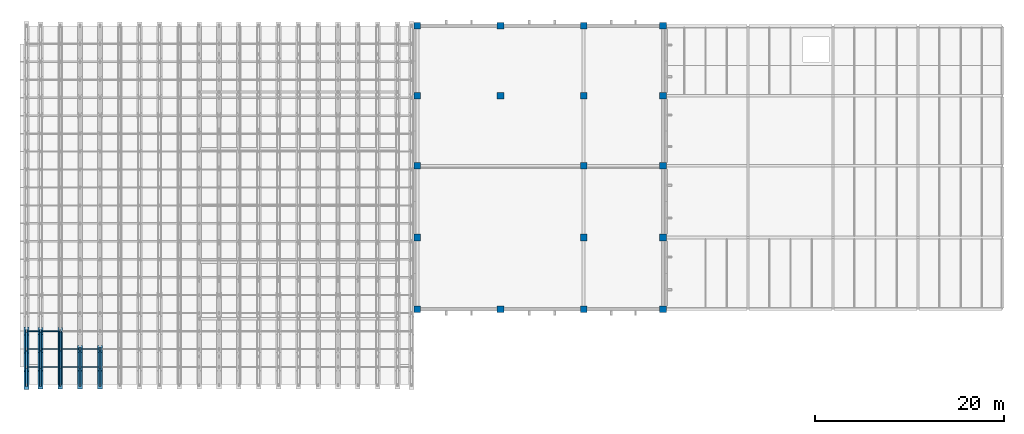
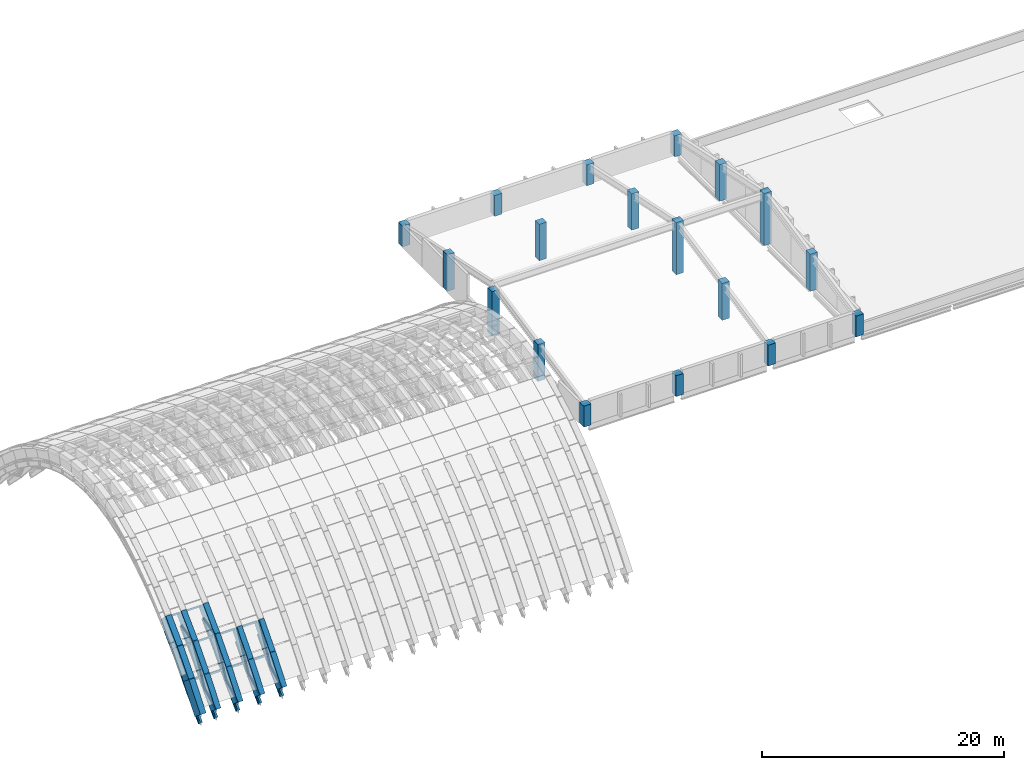
# One storey, part 1 of 67: 26 beams, 20 members, 18 columns.
"""IFC4 building model written with IfcOpenShell, lengths in metres."""

from ifc_helpers import new_model, si_unit, direction, frame, origin, origin_2d, place, context, subcontext, project, spatial, rectangle, hollow_rectangle, hollow_circle, i_section, extrude, material, material_profile, profile_set, type_object, element, save


model = new_model("IFC4")

# Units and contexts
model_context = context("Model", 3, precision=1e-05, world=origin(), true_north=direction((0.0, 1.0)))
body_context = subcontext(model_context, "Body", "Model", "MODEL_VIEW")
ifc_project = project(units=[si_unit("LENGTHUNIT", "METRE"), si_unit("AREAUNIT", "SQUARE_METRE"), si_unit("VOLUMEUNIT", "CUBIC_METRE"), si_unit("PLANEANGLEUNIT", "RADIAN"), si_unit("MASSUNIT", "GRAM", prefix="KILO")], contexts=[model_context])

# Site, building, storey
site_placement = place(None, origin())
site = spatial("IfcSite", under=ifc_project, at=site_placement, CompositionType="ELEMENT")
building_placement = place(site_placement, origin())
building = spatial("IfcBuilding", under=site, at=building_placement, Name="Shengluoqiao Park Theatre", CompositionType="ELEMENT")
storey_placement = place(building_placement, frame((0.0, 0.0, 28.60009765625)))
storey = spatial("IfcBuildingStorey", under=building, at=storey_placement, Name="Roof", CompositionType="ELEMENT", Elevation=28.60009765625)

# Columns
ifc_material_1 = material(Name="Concrete C50", Category="concrete")
ifc_material_profile_1 = material_profile(ifc_material_1, rectangle(XDim=0.699951171875, YDim=0.699951171875, at=origin_2d()), Name="RC 700x700")
ifc_profile_set_1 = profile_set([ifc_material_profile_1], Name="Concrete C50")
column_type = type_object("IfcColumnType", Name="STR-COL-C-RC700", PredefinedType="COLUMN", material=ifc_profile_set_1)
column_1_placement = place(storey_placement, frame((86.39990234375, 84.0, 0.0), z_axis=(0.0, 0.0, 1.0), x_axis=(1.0, 0.0, 0.0)))
element("IfcColumn", 1, at=column_1_placement, inside=storey, type_object=column_type, Name="Fly Tower Roof Column 0891", PredefinedType="COLUMN", context=body_context, shape_type="SweptSolid", body=[
    extrude(rectangle(XDim=0.699951171875, YDim=0.699951171875, at=origin_2d()), origin(), (0.0, 0.0, 1.0), 2.11181640625),
])
column_2_placement = place(storey_placement, frame((86.39990234375, 91.60009765625, 0.0), z_axis=(0.0, 0.0, 1.0), x_axis=(1.0, 0.0, 0.0)))
element("IfcColumn", 2, at=column_2_placement, inside=storey, type_object=column_type, Name="Fly Tower Roof Column 0892", PredefinedType="COLUMN", context=body_context, shape_type="SweptSolid", body=[
    extrude(rectangle(XDim=0.699951171875, YDim=0.699951171875, at=origin_2d()), origin(), (0.0, 0.0, 1.0), 3.727294921875),
])
column_3_placement = place(storey_placement, frame((86.39990234375, 106.60009765625, 0.0), z_axis=(0.0, 0.0, 1.0), x_axis=(1.0, 0.0, 0.0)))
element("IfcColumn", 3, at=column_3_placement, inside=storey, type_object=column_type, Name="Fly Tower Roof Column 0893", PredefinedType="COLUMN", context=body_context, shape_type="SweptSolid", body=[
    extrude(rectangle(XDim=0.699951171875, YDim=0.699951171875, at=origin_2d()), origin(), (0.0, 0.0, 1.0), 3.684814453125),
])
for number, where, z_axis, x_axis, name in (
    (4, (86.39990234375, 114.0, 0.0), (0.0, 0.0, 1.0), (1.0, 0.0, 0.0), "Fly Tower Roof Column 0894"),
    (5, (95.199951171875, 84.0, 0.0), (0.0, 0.0, 1.0), (1.0, 0.0, 0.0), "Fly Tower Roof Column 0895"),
):
    element("IfcColumn", number, at=place(storey_placement, frame(where, z_axis=z_axis, x_axis=x_axis)), inside=storey, type_object=column_type, Name=name, PredefinedType="COLUMN", context=body_context, shape_type="SweptSolid", body=[
        extrude(rectangle(XDim=0.699951171875, YDim=0.699951171875, at=origin_2d()), origin(), (0.0, 0.0, 1.0), 2.11181640625),
    ])
column_4_placement = place(storey_placement, frame((95.199951171875, 106.60009765625, 0.0), z_axis=(0.0, 0.0, 1.0), x_axis=(1.0, 0.0, 0.0)))
element("IfcColumn", 6, at=column_4_placement, inside=storey, type_object=column_type, Name="Fly Tower Roof Column 0896", PredefinedType="COLUMN", context=body_context, shape_type="SweptSolid", body=[
    extrude(rectangle(XDim=0.699951171875, YDim=0.699951171875, at=origin_2d()), origin(), (0.0, 0.0, 1.0), 3.684814453125),
])
for number, where, z_axis, x_axis, name in (
    (7, (95.199951171875, 114.0, 0.0), (0.0, 0.0, 1.0), (1.0, 0.0, 0.0), "Fly Tower Roof Column 0897"),
    (8, (104.0, 84.0, 0.0), (0.0, 0.0, 1.0), (1.0, 0.0, 0.0), "Fly Tower Roof Column 0898"),
):
    element("IfcColumn", number, at=place(storey_placement, frame(where, z_axis=z_axis, x_axis=x_axis)), inside=storey, type_object=column_type, Name=name, PredefinedType="COLUMN", context=body_context, shape_type="SweptSolid", body=[
        extrude(rectangle(XDim=0.699951171875, YDim=0.699951171875, at=origin_2d()), origin(), (0.0, 0.0, 1.0), 2.11181640625),
    ])
column_5_placement = place(storey_placement, frame((104.0, 91.60009765625, 0.0), z_axis=(0.0, 0.0, 1.0), x_axis=(1.0, 0.0, 0.0)))
element("IfcColumn", 9, at=column_5_placement, inside=storey, type_object=column_type, Name="Fly Tower Roof Column 0899", PredefinedType="COLUMN", context=body_context, shape_type="SweptSolid", body=[
    extrude(rectangle(XDim=0.699951171875, YDim=0.699951171875, at=origin_2d()), origin(), (0.0, 0.0, 1.0), 3.727294921875),
])
column_6_placement = place(storey_placement, frame((104.0, 99.199951171875, 0.0), z_axis=(0.0, 0.0, 1.0), x_axis=(1.0, 0.0, 0.0)))
element("IfcColumn", 10, at=column_6_placement, inside=storey, type_object=column_type, Name="Fly Tower Roof Column 0900", PredefinedType="COLUMN", context=body_context, shape_type="SweptSolid", body=[
    extrude(rectangle(XDim=0.699951171875, YDim=0.699951171875, at=origin_2d()), origin(), (0.0, 0.0, 1.0), 5.2578125),
])
column_7_placement = place(storey_placement, frame((104.0, 106.60009765625, 0.0), z_axis=(0.0, 0.0, 1.0), x_axis=(1.0, 0.0, 0.0)))
element("IfcColumn", 11, at=column_7_placement, inside=storey, type_object=column_type, Name="Fly Tower Roof Column 0901", PredefinedType="COLUMN", context=body_context, shape_type="SweptSolid", body=[
    extrude(rectangle(XDim=0.699951171875, YDim=0.699951171875, at=origin_2d()), origin(), (0.0, 0.0, 1.0), 3.684814453125),
])
for number, where, z_axis, x_axis, name in (
    (12, (104.0, 114.0, 0.0), (0.0, 0.0, 1.0), (1.0, 0.0, 0.0), "Fly Tower Roof Column 0902"),
    (13, (112.39990234375, 84.0, 0.0), (0.0, 0.0, 1.0), (1.0, 0.0, 0.0), "Fly Tower Roof Column 0903"),
):
    element("IfcColumn", number, at=place(storey_placement, frame(where, z_axis=z_axis, x_axis=x_axis)), inside=storey, type_object=column_type, Name=name, PredefinedType="COLUMN", context=body_context, shape_type="SweptSolid", body=[
        extrude(rectangle(XDim=0.699951171875, YDim=0.699951171875, at=origin_2d()), origin(), (0.0, 0.0, 1.0), 2.11181640625),
    ])
column_8_placement = place(storey_placement, frame((112.39990234375, 91.60009765625, 0.0), z_axis=(0.0, 0.0, 1.0), x_axis=(1.0, 0.0, 0.0)))
element("IfcColumn", 14, at=column_8_placement, inside=storey, type_object=column_type, Name="Fly Tower Roof Column 0904", PredefinedType="COLUMN", context=body_context, shape_type="SweptSolid", body=[
    extrude(rectangle(XDim=0.699951171875, YDim=0.699951171875, at=origin_2d()), origin(), (0.0, 0.0, 1.0), 3.727294921875),
])
column_9_placement = place(storey_placement, frame((112.39990234375, 99.199951171875, 0.0), z_axis=(0.0, 0.0, 1.0), x_axis=(1.0, 0.0, 0.0)))
element("IfcColumn", 15, at=column_9_placement, inside=storey, type_object=column_type, Name="Fly Tower Roof Column 0905", PredefinedType="COLUMN", context=body_context, shape_type="SweptSolid", body=[
    extrude(rectangle(XDim=0.699951171875, YDim=0.699951171875, at=origin_2d()), origin(), (0.0, 0.0, 1.0), 5.2578125),
])
column_10_placement = place(storey_placement, frame((112.39990234375, 106.60009765625, 0.0), z_axis=(0.0, 0.0, 1.0), x_axis=(1.0, 0.0, 0.0)))
element("IfcColumn", 16, at=column_10_placement, inside=storey, type_object=column_type, Name="Fly Tower Roof Column 0906", PredefinedType="COLUMN", context=body_context, shape_type="SweptSolid", body=[
    extrude(rectangle(XDim=0.699951171875, YDim=0.699951171875, at=origin_2d()), origin(), (0.0, 0.0, 1.0), 3.684814453125),
])
column_11_placement = place(storey_placement, frame((112.39990234375, 114.0, 0.0), z_axis=(0.0, 0.0, 1.0), x_axis=(1.0, 0.0, 0.0)))
element("IfcColumn", 17, at=column_11_placement, inside=storey, type_object=column_type, Name="Fly Tower Roof Column 0907", PredefinedType="COLUMN", context=body_context, shape_type="SweptSolid", body=[
    extrude(rectangle(XDim=0.699951171875, YDim=0.699951171875, at=origin_2d()), origin(), (0.0, 0.0, 1.0), 2.11181640625),
])
column_12_placement = place(storey_placement, frame((86.39990234375, 99.199951171875, 0.0), z_axis=(0.0, 0.0, 1.0), x_axis=(1.0, 0.0, 0.0)))
element("IfcColumn", 18, at=column_12_placement, inside=storey, type_object=column_type, Name="Fly Tower West Ridge Post", PredefinedType="COLUMN", context=body_context, shape_type="SweptSolid", body=[
    extrude(rectangle(XDim=0.699951171875, YDim=0.699951171875, at=origin_2d()), origin(), (0.0, 0.0, 1.0), 4.449951171875),
])

# Beams
ifc_material_profile_2 = material_profile(ifc_material_1, rectangle(XDim=0.5, YDim=1.050048828125, at=origin_2d()), Name="RC ARCH 500x1050")
ifc_profile_set_2 = profile_set([ifc_material_profile_2], Name="Concrete C50")
beam_type_1 = type_object("IfcBeamType", Name="STR-BM-AR-5010", PredefinedType="BEAM", material=ifc_profile_set_2)
beam_1_placement = place(storey_placement, frame((46.5, 76.0, -10.02001953125), z_axis=(0.0, 0.621631409309, 0.783309894588), x_axis=(-1.0, 0.0, 0.0)))
element("IfcBeam", 19, at=beam_1_placement, inside=storey, type_object=beam_type_1, Name="Barrel-Shell Arch Rib R02-S01", PredefinedType="BEAM", context=body_context, shape_type="SweptSolid", body=[
    extrude(rectangle(XDim=0.5, YDim=1.050048828125, at=origin_2d()), origin(), (0.0, 0.0, 1.0), 3.056396484375),
])
beam_2_placement = place(storey_placement, frame((46.5, 77.89990234375, -7.6259765625), z_axis=(0.0, 0.663638456789, 0.748053473136), x_axis=(-1.0, 0.0, 0.0)))
element("IfcBeam", 20, at=beam_2_placement, inside=storey, type_object=beam_type_1, Name="Barrel-Shell Arch Rib R02-S02", PredefinedType="BEAM", context=body_context, shape_type="SweptSolid", body=[
    extrude(rectangle(XDim=0.5, YDim=1.050048828125, at=origin_2d()), origin(), (0.0, 0.0, 1.0), 2.86328125),
])
beam_3_placement = place(storey_placement, frame((46.5, 79.800048828125, -5.484130859375), z_axis=(0.0, 0.708926398432, 0.705282469373), x_axis=(-1.0, 0.0, 0.0)))
element("IfcBeam", 21, at=beam_3_placement, inside=storey, type_object=beam_type_1, Name="Barrel-Shell Arch Rib R02-S03", PredefinedType="BEAM", context=body_context, shape_type="SweptSolid", body=[
    extrude(rectangle(XDim=0.5, YDim=1.050048828125, at=origin_2d()), origin(), (0.0, 0.0, 1.0), 2.679931640625),
])
beam_4_placement = place(storey_placement, frame((48.60009765625, 76.0, -10.02001953125), z_axis=(0.0, 0.621631409309, 0.783309894588), x_axis=(-1.0, 0.0, 0.0)))
element("IfcBeam", 22, at=beam_4_placement, inside=storey, type_object=beam_type_1, Name="Barrel-Shell Arch Rib R03-S01", PredefinedType="BEAM", context=body_context, shape_type="SweptSolid", body=[
    extrude(rectangle(XDim=0.5, YDim=1.050048828125, at=origin_2d()), origin(), (0.0, 0.0, 1.0), 3.056396484375),
])
beam_5_placement = place(storey_placement, frame((48.60009765625, 77.89990234375, -7.6259765625), z_axis=(0.0, 0.663638456789, 0.748053473136), x_axis=(-1.0, 0.0, 0.0)))
element("IfcBeam", 23, at=beam_5_placement, inside=storey, type_object=beam_type_1, Name="Barrel-Shell Arch Rib R03-S02", PredefinedType="BEAM", context=body_context, shape_type="SweptSolid", body=[
    extrude(rectangle(XDim=0.5, YDim=1.050048828125, at=origin_2d()), origin(), (0.0, 0.0, 1.0), 2.86328125),
])
beam_6_placement = place(storey_placement, frame((48.60009765625, 79.800048828125, -5.484130859375), z_axis=(0.0, 0.708926398432, 0.705282469373), x_axis=(-1.0, 0.0, 0.0)))
element("IfcBeam", 24, at=beam_6_placement, inside=storey, type_object=beam_type_1, Name="Barrel-Shell Arch Rib R03-S03", PredefinedType="BEAM", context=body_context, shape_type="SweptSolid", body=[
    extrude(rectangle(XDim=0.5, YDim=1.050048828125, at=origin_2d()), origin(), (0.0, 0.0, 1.0), 2.679931640625),
])
beam_7_placement = place(storey_placement, frame((50.699951171875, 76.0, -10.02001953125), z_axis=(0.0, 0.621631409309, 0.783309894588), x_axis=(-1.0, 0.0, 0.0)))
element("IfcBeam", 25, at=beam_7_placement, inside=storey, type_object=beam_type_1, Name="Barrel-Shell Arch Rib R04-S01", PredefinedType="BEAM", context=body_context, shape_type="SweptSolid", body=[
    extrude(rectangle(XDim=0.5, YDim=1.050048828125, at=origin_2d()), origin(), (0.0, 0.0, 1.0), 3.056396484375),
])
beam_8_placement = place(storey_placement, frame((50.699951171875, 77.89990234375, -7.6259765625), z_axis=(0.0, 0.663638456789, 0.748053473136), x_axis=(-1.0, 0.0, 0.0)))
element("IfcBeam", 26, at=beam_8_placement, inside=storey, type_object=beam_type_1, Name="Barrel-Shell Arch Rib R04-S02", PredefinedType="BEAM", context=body_context, shape_type="SweptSolid", body=[
    extrude(rectangle(XDim=0.5, YDim=1.050048828125, at=origin_2d()), origin(), (0.0, 0.0, 1.0), 2.86328125),
])
beam_9_placement = place(storey_placement, frame((52.800048828125, 76.0, -10.02001953125), z_axis=(0.0, 0.621631409309, 0.783309894588), x_axis=(-1.0, 0.0, 0.0)))
element("IfcBeam", 27, at=beam_9_placement, inside=storey, type_object=beam_type_1, Name="Barrel-Shell Arch Rib R05-S01", PredefinedType="BEAM", context=body_context, shape_type="SweptSolid", body=[
    extrude(rectangle(XDim=0.5, YDim=1.050048828125, at=origin_2d()), origin(), (0.0, 0.0, 1.0), 3.056396484375),
])
beam_10_placement = place(storey_placement, frame((52.800048828125, 77.89990234375, -7.6259765625), z_axis=(0.0, 0.663638456789, 0.748053473136), x_axis=(-1.0, 0.0, 0.0)))
element("IfcBeam", 28, at=beam_10_placement, inside=storey, type_object=beam_type_1, Name="Barrel-Shell Arch Rib R05-S02", PredefinedType="BEAM", context=body_context, shape_type="SweptSolid", body=[
    extrude(rectangle(XDim=0.5, YDim=1.050048828125, at=origin_2d()), origin(), (0.0, 0.0, 1.0), 2.86328125),
])
ifc_material_profile_3 = material_profile(ifc_material_1, rectangle(XDim=0.550048828125, YDim=1.199951171875, at=origin_2d()), Name="RC ARCH 550x1200")
ifc_profile_set_3 = profile_set([ifc_material_profile_3], Name="Concrete C50")
beam_type_2 = type_object("IfcBeamType", Name="STR-BM-AR-5512", PredefinedType="BEAM", material=ifc_profile_set_3)
beam_11_placement = place(storey_placement, frame((45.02001953125, 76.0, -10.02001953125), z_axis=(0.0, 0.621631409309, 0.783309894588), x_axis=(-1.0, 0.0, 0.0)))
element("IfcBeam", 29, at=beam_11_placement, inside=storey, type_object=beam_type_2, Name="Barrel-Shell Arch Rib R01-S01", PredefinedType="BEAM", context=body_context, shape_type="SweptSolid", body=[
    extrude(rectangle(XDim=0.550048828125, YDim=1.199951171875, at=origin_2d()), origin(), (0.0, 0.0, 1.0), 3.056396484375),
])
beam_12_placement = place(storey_placement, frame((45.02001953125, 77.89990234375, -7.6259765625), z_axis=(0.0, 0.663638456789, 0.748053473136), x_axis=(-1.0, 0.0, 0.0)))
element("IfcBeam", 30, at=beam_12_placement, inside=storey, type_object=beam_type_2, Name="Barrel-Shell Arch Rib R01-S02", PredefinedType="BEAM", context=body_context, shape_type="SweptSolid", body=[
    extrude(rectangle(XDim=0.550048828125, YDim=1.199951171875, at=origin_2d()), origin(), (0.0, 0.0, 1.0), 2.86328125),
])
beam_13_placement = place(storey_placement, frame((45.02001953125, 79.800048828125, -5.484130859375), z_axis=(0.0, 0.708926398432, 0.705282469373), x_axis=(-1.0, 0.0, 0.0)))
element("IfcBeam", 31, at=beam_13_placement, inside=storey, type_object=beam_type_2, Name="Barrel-Shell Arch Rib R01-S03", PredefinedType="BEAM", context=body_context, shape_type="SweptSolid", body=[
    extrude(rectangle(XDim=0.550048828125, YDim=1.199951171875, at=origin_2d()), origin(), (0.0, 0.0, 1.0), 2.679931640625),
])
ifc_material_2 = material(Name="Steel Q355", Category="steel")
ifc_material_profile_4 = material_profile(ifc_material_2, i_section(OverallWidth=0.199951171875, OverallDepth=0.5, WebThickness=0.010009765625, FlangeThickness=0.01611328125, FilletRadius=0.01806640625, at=origin_2d()), Name="HN 500x200x10x16")
ifc_profile_set_4 = profile_set([ifc_material_profile_4], Name="Steel Q355")
beam_type_3 = type_object("IfcBeamType", Name="STR-BM-J-HN500", PredefinedType="JOIST", material=ifc_profile_set_4)
beam_14_placement = place(storey_placement, frame((45.02001953125, 76.0, -10.880126953125), z_axis=(0.0, 0.708197993403, 0.706013882398), x_axis=(-1.0, 0.0, 0.0)))
element("IfcBeam", 32, at=beam_14_placement, inside=storey, type_object=beam_type_3, Name="Barrel-Shell Lower Arch Chord R01-S01", PredefinedType="JOIST", context=body_context, shape_type="SweptSolid", body=[
    extrude(i_section(OverallWidth=0.199951171875, OverallDepth=0.5, WebThickness=0.010009765625, FlangeThickness=0.01611328125, FilletRadius=0.01806640625, at=origin_2d()), origin(), (0.0, 0.0, 1.0), 2.6826171875),
])
beam_15_placement = place(storey_placement, frame((45.02001953125, 77.89990234375, -8.986083984375), z_axis=(0.0, 0.663596128385, 0.748091022799), x_axis=(-1.0, 0.0, 0.0)))
element("IfcBeam", 33, at=beam_15_placement, inside=storey, type_object=beam_type_3, Name="Barrel-Shell Lower Arch Chord R01-S02", PredefinedType="JOIST", context=body_context, shape_type="SweptSolid", body=[
    extrude(i_section(OverallWidth=0.199951171875, OverallDepth=0.5, WebThickness=0.010009765625, FlangeThickness=0.01611328125, FilletRadius=0.01806640625, at=origin_2d()), origin(), (0.0, 0.0, 1.0), 2.863525390625),
])
beam_16_placement = place(storey_placement, frame((45.02001953125, 79.800048828125, -6.843994140625), z_axis=(0.0, 0.708971948389, 0.70523668112), x_axis=(-1.0, 0.0, 0.0)))
element("IfcBeam", 34, at=beam_16_placement, inside=storey, type_object=beam_type_3, Name="Barrel-Shell Lower Arch Chord R01-S03", PredefinedType="JOIST", context=body_context, shape_type="SweptSolid", body=[
    extrude(i_section(OverallWidth=0.199951171875, OverallDepth=0.5, WebThickness=0.010009765625, FlangeThickness=0.01611328125, FilletRadius=0.01806640625, at=origin_2d()), origin(), (0.0, 0.0, 1.0), 2.6796875),
])
beam_17_placement = place(storey_placement, frame((46.5, 76.0, -10.880126953125), z_axis=(0.0, 0.708197993403, 0.706013882398), x_axis=(-1.0, 0.0, 0.0)))
element("IfcBeam", 35, at=beam_17_placement, inside=storey, type_object=beam_type_3, Name="Barrel-Shell Lower Arch Chord R02-S01", PredefinedType="JOIST", context=body_context, shape_type="SweptSolid", body=[
    extrude(i_section(OverallWidth=0.199951171875, OverallDepth=0.5, WebThickness=0.010009765625, FlangeThickness=0.01611328125, FilletRadius=0.01806640625, at=origin_2d()), origin(), (0.0, 0.0, 1.0), 2.6826171875),
])
beam_18_placement = place(storey_placement, frame((46.5, 77.89990234375, -8.986083984375), z_axis=(0.0, 0.663596128385, 0.748091022799), x_axis=(-1.0, 0.0, 0.0)))
element("IfcBeam", 36, at=beam_18_placement, inside=storey, type_object=beam_type_3, Name="Barrel-Shell Lower Arch Chord R02-S02", PredefinedType="JOIST", context=body_context, shape_type="SweptSolid", body=[
    extrude(i_section(OverallWidth=0.199951171875, OverallDepth=0.5, WebThickness=0.010009765625, FlangeThickness=0.01611328125, FilletRadius=0.01806640625, at=origin_2d()), origin(), (0.0, 0.0, 1.0), 2.863525390625),
])
beam_19_placement = place(storey_placement, frame((46.5, 79.800048828125, -6.843994140625), z_axis=(0.0, 0.708971948389, 0.70523668112), x_axis=(-1.0, 0.0, 0.0)))
element("IfcBeam", 37, at=beam_19_placement, inside=storey, type_object=beam_type_3, Name="Barrel-Shell Lower Arch Chord R02-S03", PredefinedType="JOIST", context=body_context, shape_type="SweptSolid", body=[
    extrude(i_section(OverallWidth=0.199951171875, OverallDepth=0.5, WebThickness=0.010009765625, FlangeThickness=0.01611328125, FilletRadius=0.01806640625, at=origin_2d()), origin(), (0.0, 0.0, 1.0), 2.6796875),
])
beam_20_placement = place(storey_placement, frame((48.60009765625, 76.0, -10.880126953125), z_axis=(0.0, 0.708197993403, 0.706013882398), x_axis=(-1.0, 0.0, 0.0)))
element("IfcBeam", 38, at=beam_20_placement, inside=storey, type_object=beam_type_3, Name="Barrel-Shell Lower Arch Chord R03-S01", PredefinedType="JOIST", context=body_context, shape_type="SweptSolid", body=[
    extrude(i_section(OverallWidth=0.199951171875, OverallDepth=0.5, WebThickness=0.010009765625, FlangeThickness=0.01611328125, FilletRadius=0.01806640625, at=origin_2d()), origin(), (0.0, 0.0, 1.0), 2.6826171875),
])
beam_21_placement = place(storey_placement, frame((48.60009765625, 77.89990234375, -8.986083984375), z_axis=(0.0, 0.663596128385, 0.748091022799), x_axis=(-1.0, 0.0, 0.0)))
element("IfcBeam", 39, at=beam_21_placement, inside=storey, type_object=beam_type_3, Name="Barrel-Shell Lower Arch Chord R03-S02", PredefinedType="JOIST", context=body_context, shape_type="SweptSolid", body=[
    extrude(i_section(OverallWidth=0.199951171875, OverallDepth=0.5, WebThickness=0.010009765625, FlangeThickness=0.01611328125, FilletRadius=0.01806640625, at=origin_2d()), origin(), (0.0, 0.0, 1.0), 2.863525390625),
])
beam_22_placement = place(storey_placement, frame((48.60009765625, 79.800048828125, -6.843994140625), z_axis=(0.0, 0.708971948389, 0.70523668112), x_axis=(-1.0, 0.0, 0.0)))
element("IfcBeam", 40, at=beam_22_placement, inside=storey, type_object=beam_type_3, Name="Barrel-Shell Lower Arch Chord R03-S03", PredefinedType="JOIST", context=body_context, shape_type="SweptSolid", body=[
    extrude(i_section(OverallWidth=0.199951171875, OverallDepth=0.5, WebThickness=0.010009765625, FlangeThickness=0.01611328125, FilletRadius=0.01806640625, at=origin_2d()), origin(), (0.0, 0.0, 1.0), 2.6796875),
])
beam_23_placement = place(storey_placement, frame((50.699951171875, 76.0, -10.880126953125), z_axis=(0.0, 0.708197993403, 0.706013882398), x_axis=(-1.0, 0.0, 0.0)))
element("IfcBeam", 41, at=beam_23_placement, inside=storey, type_object=beam_type_3, Name="Barrel-Shell Lower Arch Chord R04-S01", PredefinedType="JOIST", context=body_context, shape_type="SweptSolid", body=[
    extrude(i_section(OverallWidth=0.199951171875, OverallDepth=0.5, WebThickness=0.010009765625, FlangeThickness=0.01611328125, FilletRadius=0.01806640625, at=origin_2d()), origin(), (0.0, 0.0, 1.0), 2.6826171875),
])
beam_24_placement = place(storey_placement, frame((50.699951171875, 77.89990234375, -8.986083984375), z_axis=(0.0, 0.663596128385, 0.748091022799), x_axis=(-1.0, 0.0, 0.0)))
element("IfcBeam", 42, at=beam_24_placement, inside=storey, type_object=beam_type_3, Name="Barrel-Shell Lower Arch Chord R04-S02", PredefinedType="JOIST", context=body_context, shape_type="SweptSolid", body=[
    extrude(i_section(OverallWidth=0.199951171875, OverallDepth=0.5, WebThickness=0.010009765625, FlangeThickness=0.01611328125, FilletRadius=0.01806640625, at=origin_2d()), origin(), (0.0, 0.0, 1.0), 2.863525390625),
])
beam_25_placement = place(storey_placement, frame((52.800048828125, 76.0, -10.880126953125), z_axis=(0.0, 0.708197993403, 0.706013882398), x_axis=(-1.0, 0.0, 0.0)))
element("IfcBeam", 43, at=beam_25_placement, inside=storey, type_object=beam_type_3, Name="Barrel-Shell Lower Arch Chord R05-S01", PredefinedType="JOIST", context=body_context, shape_type="SweptSolid", body=[
    extrude(i_section(OverallWidth=0.199951171875, OverallDepth=0.5, WebThickness=0.010009765625, FlangeThickness=0.01611328125, FilletRadius=0.01806640625, at=origin_2d()), origin(), (0.0, 0.0, 1.0), 2.6826171875),
])
beam_26_placement = place(storey_placement, frame((52.800048828125, 77.89990234375, -8.986083984375), z_axis=(0.0, 0.663596128385, 0.748091022799), x_axis=(-1.0, 0.0, 0.0)))
element("IfcBeam", 44, at=beam_26_placement, inside=storey, type_object=beam_type_3, Name="Barrel-Shell Lower Arch Chord R05-S02", PredefinedType="JOIST", context=body_context, shape_type="SweptSolid", body=[
    extrude(i_section(OverallWidth=0.199951171875, OverallDepth=0.5, WebThickness=0.010009765625, FlangeThickness=0.01611328125, FilletRadius=0.01806640625, at=origin_2d()), origin(), (0.0, 0.0, 1.0), 2.863525390625),
])

# Members
ifc_material_profile_5 = material_profile(ifc_material_2, hollow_circle(Radius=0.109619140625, WallThickness=0.010009765625, at=origin_2d()), Name="CHS 219x10")
ifc_profile_set_5 = profile_set([ifc_material_profile_5], Name="Steel Q355")
member_type_1 = type_object("IfcMemberType", Name="STR-MEM-BRC-219", PredefinedType="BRACE", material=ifc_profile_set_5)
member_1_placement = place(storey_placement, frame((46.5, 76.0, -10.02001953125), z_axis=(0.0, 0.878356711208, 0.478005740422), x_axis=(-1.0, 0.0, 0.0)))
element("IfcMember", 45, at=member_1_placement, inside=storey, type_object=member_type_1, Name="Barrel-Shell Arch Truss Web 0021", PredefinedType="BRACE", context=body_context, shape_type="SweptSolid", body=[
    extrude(hollow_circle(Radius=0.109619140625, WallThickness=0.010009765625, at=origin_2d()), origin(), (0.0, 0.0, 1.0), 2.1630859375),
])
member_2_placement = place(storey_placement, frame((46.5, 77.89990234375, -8.986083984375), z_axis=(0.0, 0.476914707828, 0.87894957845), x_axis=(-1.0, 0.0, 0.0)))
element("IfcMember", 46, at=member_2_placement, inside=storey, type_object=member_type_1, Name="Barrel-Shell Arch Truss Web 0022", PredefinedType="BRACE", context=body_context, shape_type="SweptSolid", body=[
    extrude(hollow_circle(Radius=0.109619140625, WallThickness=0.010009765625, at=origin_2d()), origin(), (0.0, 0.0, 1.0), 3.984130859375),
])
member_3_placement = place(storey_placement, frame((46.5, 79.800048828125, -5.484130859375), z_axis=(0.0, 0.963219400843, 0.268716180831), x_axis=(-1.0, 0.0, 0.0)))
element("IfcMember", 47, at=member_3_placement, inside=storey, type_object=member_type_1, Name="Barrel-Shell Arch Truss Web 0023", PredefinedType="BRACE", context=body_context, shape_type="SweptSolid", body=[
    extrude(hollow_circle(Radius=0.109619140625, WallThickness=0.010009765625, at=origin_2d()), origin(), (0.0, 0.0, 1.0), 1.972412109375),
])
member_4_placement = place(storey_placement, frame((48.60009765625, 76.0, -10.02001953125), z_axis=(0.0, 0.878356711208, 0.478005740422), x_axis=(-1.0, 0.0, 0.0)))
element("IfcMember", 48, at=member_4_placement, inside=storey, type_object=member_type_1, Name="Barrel-Shell Arch Truss Web 0041", PredefinedType="BRACE", context=body_context, shape_type="SweptSolid", body=[
    extrude(hollow_circle(Radius=0.109619140625, WallThickness=0.010009765625, at=origin_2d()), origin(), (0.0, 0.0, 1.0), 2.1630859375),
])
member_5_placement = place(storey_placement, frame((48.60009765625, 77.89990234375, -8.986083984375), z_axis=(0.0, 0.476914707828, 0.87894957845), x_axis=(-1.0, 0.0, 0.0)))
element("IfcMember", 49, at=member_5_placement, inside=storey, type_object=member_type_1, Name="Barrel-Shell Arch Truss Web 0042", PredefinedType="BRACE", context=body_context, shape_type="SweptSolid", body=[
    extrude(hollow_circle(Radius=0.109619140625, WallThickness=0.010009765625, at=origin_2d()), origin(), (0.0, 0.0, 1.0), 3.984130859375),
])
member_6_placement = place(storey_placement, frame((48.60009765625, 79.800048828125, -5.484130859375), z_axis=(0.0, 0.963219400843, 0.268716180831), x_axis=(-1.0, 0.0, 0.0)))
element("IfcMember", 50, at=member_6_placement, inside=storey, type_object=member_type_1, Name="Barrel-Shell Arch Truss Web 0043", PredefinedType="BRACE", context=body_context, shape_type="SweptSolid", body=[
    extrude(hollow_circle(Radius=0.109619140625, WallThickness=0.010009765625, at=origin_2d()), origin(), (0.0, 0.0, 1.0), 1.972412109375),
])
member_7_placement = place(storey_placement, frame((50.699951171875, 76.0, -10.02001953125), z_axis=(0.0, 0.878356711208, 0.478005740422), x_axis=(-1.0, 0.0, 0.0)))
element("IfcMember", 51, at=member_7_placement, inside=storey, type_object=member_type_1, Name="Barrel-Shell Arch Truss Web 0061", PredefinedType="BRACE", context=body_context, shape_type="SweptSolid", body=[
    extrude(hollow_circle(Radius=0.109619140625, WallThickness=0.010009765625, at=origin_2d()), origin(), (0.0, 0.0, 1.0), 2.1630859375),
])
member_8_placement = place(storey_placement, frame((50.699951171875, 77.89990234375, -8.986083984375), z_axis=(0.0, 0.476914707828, 0.87894957845), x_axis=(-1.0, 0.0, 0.0)))
element("IfcMember", 52, at=member_8_placement, inside=storey, type_object=member_type_1, Name="Barrel-Shell Arch Truss Web 0062", PredefinedType="BRACE", context=body_context, shape_type="SweptSolid", body=[
    extrude(hollow_circle(Radius=0.109619140625, WallThickness=0.010009765625, at=origin_2d()), origin(), (0.0, 0.0, 1.0), 3.984130859375),
])
member_9_placement = place(storey_placement, frame((52.800048828125, 76.0, -10.02001953125), z_axis=(0.0, 0.878356711208, 0.478005740422), x_axis=(-1.0, 0.0, 0.0)))
element("IfcMember", 53, at=member_9_placement, inside=storey, type_object=member_type_1, Name="Barrel-Shell Arch Truss Web 0081", PredefinedType="BRACE", context=body_context, shape_type="SweptSolid", body=[
    extrude(hollow_circle(Radius=0.109619140625, WallThickness=0.010009765625, at=origin_2d()), origin(), (0.0, 0.0, 1.0), 2.1630859375),
])
member_10_placement = place(storey_placement, frame((52.800048828125, 77.89990234375, -8.986083984375), z_axis=(0.0, 0.476914707828, 0.87894957845), x_axis=(-1.0, 0.0, 0.0)))
element("IfcMember", 54, at=member_10_placement, inside=storey, type_object=member_type_1, Name="Barrel-Shell Arch Truss Web 0082", PredefinedType="BRACE", context=body_context, shape_type="SweptSolid", body=[
    extrude(hollow_circle(Radius=0.109619140625, WallThickness=0.010009765625, at=origin_2d()), origin(), (0.0, 0.0, 1.0), 3.984130859375),
])
ifc_material_profile_6 = material_profile(ifc_material_2, hollow_rectangle(XDim=0.10009765625, YDim=0.179931640625, WallThickness=0.008056640625, InnerFilletRadius=0.008056640625, OuterFilletRadius=0.01611328125, at=origin_2d()), Name="RHS 180x100x8")
ifc_profile_set_6 = profile_set([ifc_material_profile_6], Name="Steel Q355")
member_type_2 = type_object("IfcMemberType", Name="STR-MEM-PU-R180", PredefinedType="PURLIN", material=ifc_profile_set_6)
member_11_placement = place(storey_placement, frame((45.239990234375, 81.699951171875, -3.64404296875), z_axis=(1.0, 0.0, 0.0), x_axis=(0.0, 1.0, 0.0)))
element("IfcMember", 55, at=member_11_placement, inside=storey, type_object=member_type_2, Name="Shell Longitudinal Purlin 0003", PredefinedType="PURLIN", context=body_context, shape_type="SweptSolid", body=[
    extrude(hollow_rectangle(XDim=0.10009765625, YDim=0.179931640625, WallThickness=0.008056640625, InnerFilletRadius=0.008056640625, OuterFilletRadius=0.01611328125, at=origin_2d()), origin(), (0.0, 0.0, 1.0), 1.0400390625),
])
member_12_placement = place(storey_placement, frame((46.719970703125, 81.699951171875, -3.64404296875), z_axis=(1.0, 0.0, 0.0), x_axis=(0.0, 1.0, 0.0)))
element("IfcMember", 56, at=member_12_placement, inside=storey, type_object=member_type_2, Name="Shell Longitudinal Purlin 0022", PredefinedType="PURLIN", context=body_context, shape_type="SweptSolid", body=[
    extrude(hollow_rectangle(XDim=0.10009765625, YDim=0.179931640625, WallThickness=0.008056640625, InnerFilletRadius=0.008056640625, OuterFilletRadius=0.01611328125, at=origin_2d()), origin(), (0.0, 0.0, 1.0), 1.659912109375),
])
ifc_material_profile_7 = material_profile(ifc_material_2, hollow_rectangle(XDim=0.10009765625, YDim=0.199951171875, WallThickness=0.008056640625, InnerFilletRadius=0.008056640625, OuterFilletRadius=0.01611328125, at=origin_2d()), Name="RHS 200x100x8")
ifc_profile_set_7 = profile_set([ifc_material_profile_7], Name="Steel Q355")
member_type_3 = type_object("IfcMemberType", Name="STR-MEM-PU-R200", PredefinedType="PURLIN", material=ifc_profile_set_7)
member_13_placement = place(storey_placement, frame((45.239990234375, 79.800048828125, -5.564208984375), z_axis=(1.0, 0.0, 0.0), x_axis=(0.0, 1.0, 0.0)))
element("IfcMember", 57, at=member_13_placement, inside=storey, type_object=member_type_3, Name="Shell Longitudinal Purlin 0002", PredefinedType="PURLIN", context=body_context, shape_type="SweptSolid", body=[
    extrude(hollow_rectangle(XDim=0.10009765625, YDim=0.199951171875, WallThickness=0.008056640625, InnerFilletRadius=0.008056640625, OuterFilletRadius=0.01611328125, at=origin_2d()), origin(), (0.0, 0.0, 1.0), 1.0400390625),
])
for number, where, z_axis, x_axis, name in (
    (58, (46.719970703125, 79.800048828125, -5.564208984375), (1.0, 0.0, 0.0), (0.0, 1.0, 0.0), "Shell Longitudinal Purlin 0021"),
    (59, (48.820068359375, 79.800048828125, -5.564208984375), (1.0, 0.0, 0.0), (0.0, 1.0, 0.0), "Shell Longitudinal Purlin 0040"),
):
    element("IfcMember", number, at=place(storey_placement, frame(where, z_axis=z_axis, x_axis=x_axis)), inside=storey, type_object=member_type_3, Name=name, PredefinedType="PURLIN", context=body_context, shape_type="SweptSolid", body=[
        extrude(hollow_rectangle(XDim=0.10009765625, YDim=0.199951171875, WallThickness=0.008056640625, InnerFilletRadius=0.008056640625, OuterFilletRadius=0.01611328125, at=origin_2d()), origin(), (0.0, 0.0, 1.0), 1.659912109375),
    ])
member_14_placement = place(storey_placement, frame((50.919921875, 79.800048828125, -5.564208984375), z_axis=(1.0, 0.0, 0.0), x_axis=(0.0, 1.0, 0.0)))
element("IfcMember", 60, at=member_14_placement, inside=storey, type_object=member_type_3, Name="Shell Longitudinal Purlin 0059", PredefinedType="PURLIN", context=body_context, shape_type="SweptSolid", body=[
    extrude(hollow_rectangle(XDim=0.10009765625, YDim=0.199951171875, WallThickness=0.008056640625, InnerFilletRadius=0.008056640625, OuterFilletRadius=0.01611328125, at=origin_2d()), origin(), (0.0, 0.0, 1.0), 1.66015625),
])
ifc_material_profile_8 = material_profile(ifc_material_2, hollow_rectangle(XDim=0.139892578125, YDim=0.219970703125, WallThickness=0.010009765625, InnerFilletRadius=0.010009765625, OuterFilletRadius=0.02001953125, at=origin_2d()), Name="RHS 220x140x10")
ifc_profile_set_8 = profile_set([ifc_material_profile_8], Name="Steel Q355")
member_type_4 = type_object("IfcMemberType", Name="STR-MEM-PU-R220", PredefinedType="PURLIN", material=ifc_profile_set_8)
member_15_placement = place(storey_placement, frame((45.239990234375, 77.89990234375, -7.736083984375), z_axis=(1.0, 0.0, 0.0), x_axis=(0.0, 1.0, 0.0)))
element("IfcMember", 61, at=member_15_placement, inside=storey, type_object=member_type_4, Name="Shell Longitudinal Purlin 0001", PredefinedType="PURLIN", context=body_context, shape_type="SweptSolid", body=[
    extrude(hollow_rectangle(XDim=0.139892578125, YDim=0.219970703125, WallThickness=0.010009765625, InnerFilletRadius=0.010009765625, OuterFilletRadius=0.02001953125, at=origin_2d()), origin(), (0.0, 0.0, 1.0), 1.0400390625),
])
for number, where, z_axis, x_axis, name in (
    (62, (46.719970703125, 77.89990234375, -7.736083984375), (1.0, 0.0, 0.0), (0.0, 1.0, 0.0), "Shell Longitudinal Purlin 0020"),
    (63, (48.820068359375, 77.89990234375, -7.736083984375), (1.0, 0.0, 0.0), (0.0, 1.0, 0.0), "Shell Longitudinal Purlin 0039"),
):
    element("IfcMember", number, at=place(storey_placement, frame(where, z_axis=z_axis, x_axis=x_axis)), inside=storey, type_object=member_type_4, Name=name, PredefinedType="PURLIN", context=body_context, shape_type="SweptSolid", body=[
        extrude(hollow_rectangle(XDim=0.139892578125, YDim=0.219970703125, WallThickness=0.010009765625, InnerFilletRadius=0.010009765625, OuterFilletRadius=0.02001953125, at=origin_2d()), origin(), (0.0, 0.0, 1.0), 1.659912109375),
    ])
member_16_placement = place(storey_placement, frame((50.919921875, 77.89990234375, -7.736083984375), z_axis=(1.0, 0.0, 0.0), x_axis=(0.0, 1.0, 0.0)))
element("IfcMember", 64, at=member_16_placement, inside=storey, type_object=member_type_4, Name="Shell Longitudinal Purlin 0058", PredefinedType="PURLIN", context=body_context, shape_type="SweptSolid", body=[
    extrude(hollow_rectangle(XDim=0.139892578125, YDim=0.219970703125, WallThickness=0.010009765625, InnerFilletRadius=0.010009765625, OuterFilletRadius=0.02001953125, at=origin_2d()), origin(), (0.0, 0.0, 1.0), 1.66015625),
])

save(model, "model.ifc")
